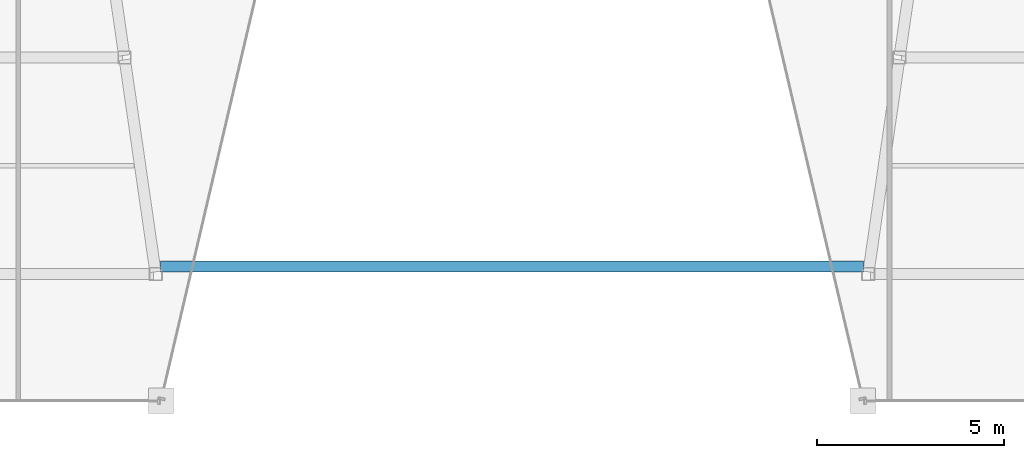
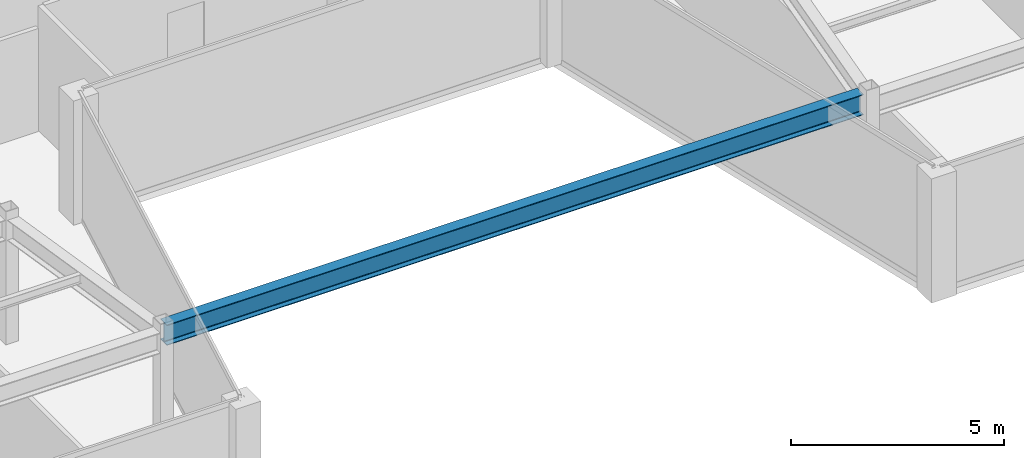
# One storey, part 7 of 32: 1 beam.
"""IFC4 building model written with IfcOpenShell, lengths in metres."""

import ifcopenshell
import ifcopenshell.guid

model = None  # the IFC model being written
_history = None  # IfcOwnerHistory: only IFC2X3 demands one
_inside = {}  # id of a spatial element -> (the spatial element, [elements in it])
_under = {}  # id of a project, library or spatial element -> (it, [spatial elements below it])
_declared = {}  # id of a project -> (the project, [libraries it declares])
_typed = {}  # id of a type object -> (the type object, [elements of that type])
_made_of = {}  # id of a material, layer set ... -> (it, [elements and type objects made of it])


def new_model(schema):
    """Start an empty IFC model of exactly this schema.

    Asked for "IFC4X3", IfcOpenShell would pick the latest addendum, in which some entities
    have other attributes; the version numbers below select the first issue.
    IFC2X3 requires an IfcOwnerHistory on every rooted entity: one is made here for all.
    """
    global model, _history
    if schema == "IFC4X3":
        model = ifcopenshell.file(schema_version=(4, 3, 0, 0))
    else:
        model = ifcopenshell.file(schema=schema)
    _inside.clear()
    _under.clear()
    _declared.clear()
    _typed.clear()
    _made_of.clear()
    _history = None
    if model.schema == "IFC2X3":
        org = make("IfcOrganization", Name="unknown")
        user = make(
            "IfcPersonAndOrganization",
            ThePerson=make("IfcPerson", FamilyName="unknown"),
            TheOrganization=org,
        )
        app = make(
            "IfcApplication",
            ApplicationDeveloper=org,
            Version="unknown",
            ApplicationFullName="unknown",
            ApplicationIdentifier="unknown",
        )
        _history = make(
            "IfcOwnerHistory",
            OwningUser=user,
            OwningApplication=app,
            ChangeAction="ADDED",
            CreationDate=0,
        )
    return model


def make(cls, **values):
    """One entity of the class cls with the attributes given. An attribute that is None is left unset."""
    return model.create_entity(
        cls, **{name: value for name, value in values.items() if value is not None}
    )


def rooted(cls, **values):
    """An entity with a GlobalId (a new one), such as an element, a storey or a relation."""
    return make(cls, GlobalId=ifcopenshell.guid.new(), OwnerHistory=_history, **values)


def si_unit(unit_type, name, prefix=None):
    """IfcSIUnit, for example si_unit("LENGTHUNIT", "METRE", prefix="MILLI")."""
    return make("IfcSIUnit", UnitType=unit_type, Prefix=prefix, Name=name)


def assignment(units):
    """IfcUnitAssignment: the units of a project."""
    return None if units is None else make("IfcUnitAssignment", Units=units)


def point(xyz):
    """IfcCartesianPoint."""
    return None if xyz is None else make("IfcCartesianPoint", Coordinates=xyz)


def direction(xyz):
    """IfcDirection."""
    return None if xyz is None else make("IfcDirection", DirectionRatios=xyz)


def frame(location, z_axis=None, x_axis=None):
    """IfcAxis2Placement3D, a coordinate frame: its origin and axes. An axis left out is left unset."""
    return make(
        "IfcAxis2Placement3D",
        Location=point(location),
        Axis=direction(z_axis),
        RefDirection=direction(x_axis),
    )


def frame_2d(location, x_axis=None):
    """IfcAxis2Placement2D, a coordinate frame in the plane: its origin and x axis."""
    return make(
        "IfcAxis2Placement2D", Location=point(location), RefDirection=direction(x_axis)
    )


def origin():
    """The frame at (0, 0, 0) with its axes left unset."""
    return frame((0.0, 0.0, 0.0))


def origin_2d():
    """The frame at (0, 0) in the plane with its x axis left unset."""
    return frame_2d((0.0, 0.0))


def place(relative_to, where):
    """IfcLocalPlacement: puts the frame where relative to a parent placement (None: the world)."""
    return make(
        "IfcLocalPlacement", PlacementRelTo=relative_to, RelativePlacement=where
    )


def context(
    kind, dimensions, precision=None, world=None, true_north=None, identifier=None
):
    """IfcGeometricRepresentationContext, for example the 3D "Model" context."""
    return make(
        "IfcGeometricRepresentationContext",
        ContextIdentifier=identifier,
        ContextType=kind,
        CoordinateSpaceDimension=dimensions,
        Precision=precision,
        WorldCoordinateSystem=world,
        TrueNorth=true_north,
    )


def subcontext(parent, identifier, kind, view, scale=None):
    """IfcGeometricRepresentationSubContext, for example "Body" below "Model"."""
    return make(
        "IfcGeometricRepresentationSubContext",
        ContextIdentifier=identifier,
        ContextType=kind,
        ParentContext=parent,
        TargetScale=scale,
        TargetView=view,
    )


def project(units=None, contexts=None):
    """IfcProject with its units and contexts."""
    return rooted(
        "IfcProject",
        Name="project",
        RepresentationContexts=contexts,
        UnitsInContext=assignment(units),
    )


def spatial(cls, under=None, at=None, **own):
    """A site, building, storey or space (cls), placed at a placement, below another one or the project."""
    s = rooted(cls, ObjectPlacement=at, **own)
    if under is not None:
        _under.setdefault(under.id(), (under, []))[1].append(s)
    return s


def profile(cls, at=None, kind="AREA", **sizes):
    """A parametric profile (cls). Its sizes go by their IFC names, for example OverallWidth=200.0."""
    return make(cls, ProfileType=kind, Position=at, **sizes)


def i_section(**sizes):
    """IfcIShapeProfileDef."""
    return profile("IfcIShapeProfileDef", **sizes)


def extrude(swept, where, along, depth):
    """IfcExtrudedAreaSolid: the profile swept, set in the frame where, extruded along a direction by depth."""
    return make(
        "IfcExtrudedAreaSolid",
        SweptArea=swept,
        Position=where,
        ExtrudedDirection=direction(along),
        Depth=depth,
    )


def shape(context_of_items, identifier, shape_type, items):
    """IfcShapeRepresentation: the items that make up one representation, for example the "Body"."""
    return make(
        "IfcShapeRepresentation",
        ContextOfItems=context_of_items,
        RepresentationIdentifier=identifier,
        RepresentationType=shape_type,
        Items=items,
    )


def material(Name=None, Category=None):
    """IfcMaterial."""
    return make("IfcMaterial", Name=Name, Category=Category)


def material_profile(
    of_material, cross_section, Name=None, Category=None, Priority=None
):
    """IfcMaterialProfile: a cross section and its material."""
    return make(
        "IfcMaterialProfile",
        Name=Name,
        Material=of_material,
        Profile=cross_section,
        Priority=Priority,
        Category=Category,
    )


def profile_set(profiles, Name=None, composite=None):
    """IfcMaterialProfileSet."""
    return make(
        "IfcMaterialProfileSet",
        Name=Name,
        MaterialProfiles=profiles,
        CompositeProfile=composite,
    )


def made_of(thing, what):
    """Note that an element or type object is made of a material, layer set ...; save() writes the relation."""
    if what is not None:
        _made_of.setdefault(what.id(), (what, []))[1].append(thing)
    return thing


def type_object(cls, material=None, **own):
    """A type object (cls), such as IfcWallType, which elements share."""
    return made_of(rooted(cls, **own), material)


def element(
    cls,
    number,
    at=None,
    inside=None,
    cuts=None,
    type_object=None,
    material=None,
    context=None,
    identifier="Body",
    shape_type=None,
    held_by="IfcProductDefinitionShape",
    body=None,
    shapes=None,
    **own,
):
    """One element of the class cls, such as IfcWall. Its Tag is "e" and its number.

    at: its placement. inside: the storey or other place that contains it. cuts: it is an
    opening in that element (IfcRelVoidsElement). A single representation is given by context,
    identifier, shape_type and body (its items); several are given by shapes. held_by: the class
    of the entity that holds the representations. save() writes the other relations.
    """
    e = rooted(cls, Tag="e%d" % number, ObjectPlacement=at, **own)
    if body is not None:
        shapes = [shape(context, identifier, shape_type, body)]
    if shapes is not None:
        e.Representation = make(held_by, Representations=shapes)
    if inside is not None:
        _inside.setdefault(inside.id(), (inside, []))[1].append(e)
    if cuts is not None:
        rooted(
            "IfcRelVoidsElement", RelatingBuildingElement=cuts, RelatedOpeningElement=e
        )
    if type_object is not None:
        _typed.setdefault(type_object.id(), (type_object, []))[1].append(e)
    return made_of(e, material)


def aggregate(whole, parts):
    """IfcRelAggregates: a whole, such as a stair, and the parts it consists of."""
    return rooted("IfcRelAggregates", RelatingObject=whole, RelatedObjects=parts)


def save(model, path):
    """Write the relations noted so far, then the file.

    IfcRelAggregates (storeys below a building ...), IfcRelContainedInSpatialStructure (elements
    in a storey), IfcRelDefinesByType, IfcRelAssociatesMaterial and IfcRelDeclares: one each for
    every whole, place, type object, material and project.
    """
    for whole, parts in _under.values():
        aggregate(whole, parts)
    for where, things in _inside.values():
        rooted(
            "IfcRelContainedInSpatialStructure",
            RelatedElements=things,
            RelatingStructure=where,
        )
    for kind, things in _typed.values():
        rooted("IfcRelDefinesByType", RelatedObjects=things, RelatingType=kind)
    for what, things in _made_of.values():
        rooted("IfcRelAssociatesMaterial", RelatedObjects=things, RelatingMaterial=what)
    for by, libraries in _declared.values():
        rooted("IfcRelDeclares", RelatingContext=by, RelatedDefinitions=libraries)
    model.write(path)


model = new_model("IFC4")

# Units and contexts
model_context = context("Model", 3, precision=1e-05, world=origin(), true_north=direction((0.0, 1.0)))
body_context = subcontext(model_context, "Body", "Model", "MODEL_VIEW")
ifc_project = project(units=[si_unit("LENGTHUNIT", "METRE"), si_unit("AREAUNIT", "SQUARE_METRE"), si_unit("VOLUMEUNIT", "CUBIC_METRE"), si_unit("PLANEANGLEUNIT", "RADIAN"), si_unit("MASSUNIT", "GRAM", prefix="KILO")], contexts=[model_context])

# Site, building, storey
site_placement = place(None, origin())
site = spatial("IfcSite", under=ifc_project, at=site_placement, CompositionType="ELEMENT")
building_placement = place(site_placement, origin())
building = spatial("IfcBuilding", under=site, at=building_placement, Name="Saevonmaru Cultural Tower", CompositionType="ELEMENT")
storey_placement = place(building_placement, frame((0.0, 0.0, 257.199951171875)))
storey = spatial("IfcBuildingStorey", under=building, at=storey_placement, Name="L60", CompositionType="ELEMENT", Elevation=257.199951171875)

# Beam
ifc_material = material(Name="Steel SM355", Category="steel")
ifc_material_profile = material_profile(ifc_material, i_section(OverallWidth=0.300048828125, OverallDepth=0.587890625, WebThickness=0.011962890625, FlangeThickness=0.02001953125, FilletRadius=0.02392578125, at=origin_2d()), Name="H-588x300x12x20")
ifc_profile_set = profile_set([ifc_material_profile], Name="Steel SM355")
beam_type = type_object("IfcBeamType", Name="BM-G-H588", PredefinedType="BEAM", material=ifc_profile_set)
beam_placement = place(storey_placement, frame((20.5830078125, 26.39990234375, 3.256103515625), z_axis=(1.0, 0.0, 0.0), x_axis=(0.0, 1.0, 0.0)))
element("IfcBeam", 1, at=beam_placement, inside=storey, type_object=beam_type, Name="L60 Central Link Girder", PredefinedType="BEAM", context=body_context, shape_type="SweptSolid", body=[
    extrude(i_section(OverallWidth=0.300048828125, OverallDepth=0.587890625, WebThickness=0.011962890625, FlangeThickness=0.02001953125, FilletRadius=0.02392578125, at=origin_2d()), origin(), (0.0, 0.0, 1.0), 18.833984375),
])

save(model, "model.ifc")
